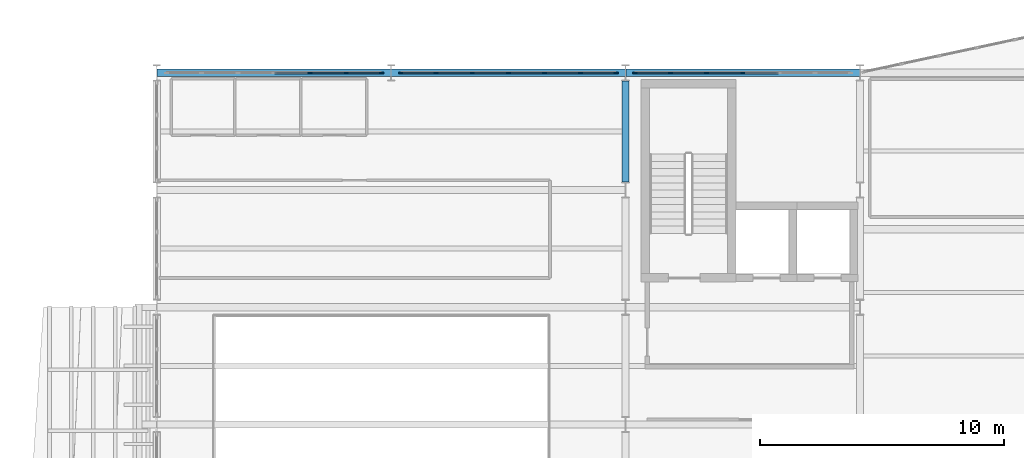
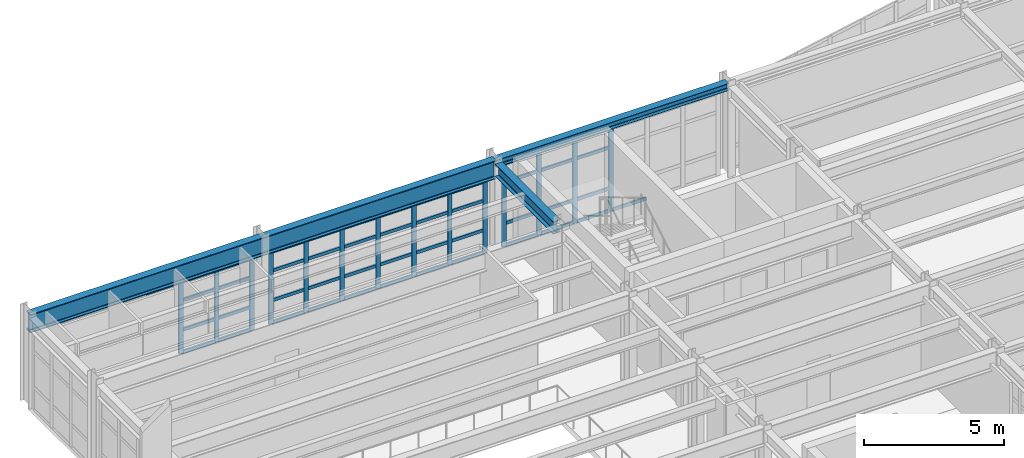
# One storey, part 45 of 99: 60 members, 3 beams, 3 elements without a shape of their own.
"""IFC4 building model written with IfcOpenShell, lengths in metres."""

from ifc_helpers import new_model, si_unit, direction, frame, origin, origin_2d, place, context, subcontext, project, spatial, rectangle, i_section, extrude, material, layer, layer_set, material_profile, profile_set, type_object, element, aggregate, save


model = new_model("IFC4")

# Units and contexts
model_context = context("Model", 3, precision=1e-05, world=origin(), true_north=direction((0.0, 1.0)))
body_context = subcontext(model_context, "Body", "Model", "MODEL_VIEW")
ifc_project = project(units=[si_unit("LENGTHUNIT", "METRE"), si_unit("AREAUNIT", "SQUARE_METRE"), si_unit("VOLUMEUNIT", "CUBIC_METRE"), si_unit("PLANEANGLEUNIT", "RADIAN"), si_unit("MASSUNIT", "GRAM", prefix="KILO")], contexts=[model_context])

# Site, building, storey
site_placement = place(None, origin())
site = spatial("IfcSite", under=ifc_project, at=site_placement, CompositionType="ELEMENT")
building_placement = place(site_placement, origin())
building = spatial("IfcBuilding", under=site, at=building_placement, Name="Nordkorset Police Headquarters", CompositionType="ELEMENT")
storey_placement = place(building_placement, frame((0.0, 0.0, 5.25)))
storey = spatial("IfcBuildingStorey", under=building, at=storey_placement, Name="L01", CompositionType="ELEMENT", Elevation=5.25)

# Curtain wall, members
ifc_material_1 = material(Name="Aluminium alloy AW-6060", Category="aluminium")
ifc_layer_1 = layer(ifc_material_1, 0.179931640625, Name="Aluminium alloy AW-6060")
ifc_layer_set_1 = layer_set([ifc_layer_1], Name="Aluminium alloy AW-6060")
curtain_wall_type_1 = type_object("IfcCurtainWallType", Name="CW_Unit_888x314", PredefinedType="USERDEFINED", material=ifc_layer_set_1)
curtain_wall_1_placement = place(storey_placement, origin())
curtain_wall_1 = element("IfcCurtainWall", 1, at=curtain_wall_1_placement, inside=storey, type_object=curtain_wall_type_1, Name="Unitised Curtain Wall L01 V1N-0", ObjectType="UNITISED CURTAIN WALL", PredefinedType="USERDEFINED")
ifc_material_2 = material(Name="Aluminium alloy AW-6060", Category="aluminium")
ifc_material_profile_1 = material_profile(ifc_material_2, rectangle(XDim=0.06494140625, YDim=0.179931640625, at=origin_2d()), Name="ALU MULL 65x180")
ifc_profile_set_1 = profile_set([ifc_material_profile_1], Name="Aluminium alloy AW-6060")
member_type_1 = type_object("IfcMemberType", Name="CW_Mullion_65x180", PredefinedType="MULLION", material=ifc_profile_set_1)
member_1_placement = place(storey_placement, frame((6.280029296875, 116.800048828125, 0.0), z_axis=(0.0, 0.0, 1.0), x_axis=(0.0, 1.0, 0.0)))
member_1 = element("IfcMember", 2, at=member_1_placement, type_object=member_type_1, Name="CW-59 mullion 5", PredefinedType="MULLION", context=body_context, shape_type="SweptSolid", body=[
    extrude(rectangle(XDim=0.06494140625, YDim=0.179931640625, at=origin_2d()), origin(), (0.0, 0.0, 1.0), 3.139892578125),
])
member_2_placement = place(storey_placement, frame((7.760009765625, 116.800048828125, 0.0), z_axis=(0.0, 0.0, 1.0), x_axis=(0.0, 1.0, 0.0)))
member_2 = element("IfcMember", 3, at=member_2_placement, type_object=member_type_1, Name="CW-59 mullion 6", PredefinedType="MULLION", context=body_context, shape_type="SweptSolid", body=[
    extrude(rectangle(XDim=0.06494140625, YDim=0.179931640625, at=origin_2d()), origin(), (0.0, 0.0, 1.0), 3.139892578125),
])
member_3_placement = place(storey_placement, frame((9.20751953125, 116.800048828125, 0.0), z_axis=(0.0, 0.0, 1.0), x_axis=(0.0, 1.0, 0.0)))
member_3 = element("IfcMember", 4, at=member_3_placement, type_object=member_type_1, Name="CW-59 mullion 7", PredefinedType="MULLION", context=body_context, shape_type="SweptSolid", body=[
    extrude(rectangle(XDim=0.06494140625, YDim=0.179931640625, at=origin_2d()), origin(), (0.0, 0.0, 1.0), 3.139892578125),
])

curtain_wall_2_placement = place(storey_placement, origin())
curtain_wall_2 = element("IfcCurtainWall", 5, at=curtain_wall_2_placement, inside=storey, type_object=curtain_wall_type_1, Name="Unitised Curtain Wall L01 V1N-1", ObjectType="UNITISED CURTAIN WALL", PredefinedType="USERDEFINED")
member_4_placement = place(storey_placement, frame((9.992431640625, 116.800048828125, 0.0), z_axis=(0.0, 0.0, 1.0), x_axis=(0.0, 1.0, 0.0)))
member_4 = element("IfcMember", 6, at=member_4_placement, type_object=member_type_1, Name="CW-59 mullion 1", PredefinedType="MULLION", context=body_context, shape_type="SweptSolid", body=[
    extrude(rectangle(XDim=0.06494140625, YDim=0.179931640625, at=origin_2d()), origin(), (0.0, 0.0, 1.0), 3.139892578125),
])
member_5_placement = place(storey_placement, frame((11.43994140625, 116.800048828125, 0.0), z_axis=(0.0, 0.0, 1.0), x_axis=(0.0, 1.0, 0.0)))
member_5 = element("IfcMember", 7, at=member_5_placement, type_object=member_type_1, Name="CW-59 mullion 2", PredefinedType="MULLION", context=body_context, shape_type="SweptSolid", body=[
    extrude(rectangle(XDim=0.06494140625, YDim=0.179931640625, at=origin_2d()), origin(), (0.0, 0.0, 1.0), 3.139892578125),
])
member_6_placement = place(storey_placement, frame((12.919921875, 116.800048828125, 0.0), z_axis=(0.0, 0.0, 1.0), x_axis=(0.0, 1.0, 0.0)))
member_6 = element("IfcMember", 8, at=member_6_placement, type_object=member_type_1, Name="CW-59 mullion 3", PredefinedType="MULLION", context=body_context, shape_type="SweptSolid", body=[
    extrude(rectangle(XDim=0.06494140625, YDim=0.179931640625, at=origin_2d()), origin(), (0.0, 0.0, 1.0), 3.139892578125),
])
member_7_placement = place(storey_placement, frame((14.39990234375, 116.800048828125, 0.0), z_axis=(0.0, 0.0, 1.0), x_axis=(0.0, 1.0, 0.0)))
member_7 = element("IfcMember", 9, at=member_7_placement, type_object=member_type_1, Name="CW-59 mullion 4", PredefinedType="MULLION", context=body_context, shape_type="SweptSolid", body=[
    extrude(rectangle(XDim=0.06494140625, YDim=0.179931640625, at=origin_2d()), origin(), (0.0, 0.0, 1.0), 3.139892578125),
])
member_8_placement = place(storey_placement, frame((15.8798828125, 116.800048828125, 0.0), z_axis=(0.0, 0.0, 1.0), x_axis=(0.0, 1.0, 0.0)))
member_8 = element("IfcMember", 10, at=member_8_placement, type_object=member_type_1, Name="CW-59 mullion 5", PredefinedType="MULLION", context=body_context, shape_type="SweptSolid", body=[
    extrude(rectangle(XDim=0.06494140625, YDim=0.179931640625, at=origin_2d()), origin(), (0.0, 0.0, 1.0), 3.139892578125),
])
member_9_placement = place(storey_placement, frame((17.360107421875, 116.800048828125, 0.0), z_axis=(0.0, 0.0, 1.0), x_axis=(0.0, 1.0, 0.0)))
member_9 = element("IfcMember", 11, at=member_9_placement, type_object=member_type_1, Name="CW-59 mullion 6", PredefinedType="MULLION", context=body_context, shape_type="SweptSolid", body=[
    extrude(rectangle(XDim=0.06494140625, YDim=0.179931640625, at=origin_2d()), origin(), (0.0, 0.0, 1.0), 3.139892578125),
])
member_10_placement = place(storey_placement, frame((18.8076171875, 116.800048828125, 0.0), z_axis=(0.0, 0.0, 1.0), x_axis=(0.0, 1.0, 0.0)))
member_10 = element("IfcMember", 12, at=member_10_placement, type_object=member_type_1, Name="CW-59 mullion 7", PredefinedType="MULLION", context=body_context, shape_type="SweptSolid", body=[
    extrude(rectangle(XDim=0.06494140625, YDim=0.179931640625, at=origin_2d()), origin(), (0.0, 0.0, 1.0), 3.139892578125),
])

ifc_material_3 = material(Name="Aluminium alloy AW-6060", Category="aluminium")
ifc_layer_2 = layer(ifc_material_3, 0.179931640625, Name="Aluminium alloy AW-6060")
ifc_layer_set_2 = layer_set([ifc_layer_2], Name="Aluminium alloy AW-6060")
curtain_wall_type_2 = type_object("IfcCurtainWallType", Name="CW_Unit_888x363", PredefinedType="USERDEFINED", material=ifc_layer_set_2)
curtain_wall_3_placement = place(storey_placement, origin())
curtain_wall_3 = element("IfcCurtainWall", 13, at=curtain_wall_3_placement, inside=storey, type_object=curtain_wall_type_2, Name="Unitised Curtain Wall L01 V1N-2", ObjectType="UNITISED CURTAIN WALL", PredefinedType="USERDEFINED")
member_11_placement = place(storey_placement, frame((19.592529296875, 116.800048828125, 0.0), z_axis=(0.0, 0.0, 1.0), x_axis=(0.0, 1.0, 0.0)))
member_11 = element("IfcMember", 14, at=member_11_placement, type_object=member_type_1, Name="CW-07 mullion 1", PredefinedType="MULLION", context=body_context, shape_type="SweptSolid", body=[
    extrude(rectangle(XDim=0.06494140625, YDim=0.179931640625, at=origin_2d()), origin(), (0.0, 0.0, 1.0), 3.6298828125),
])
member_12_placement = place(storey_placement, frame((21.0400390625, 116.800048828125, 0.0), z_axis=(0.0, 0.0, 1.0), x_axis=(0.0, 1.0, 0.0)))
member_12 = element("IfcMember", 15, at=member_12_placement, type_object=member_type_1, Name="CW-07 mullion 2", PredefinedType="MULLION", context=body_context, shape_type="SweptSolid", body=[
    extrude(rectangle(XDim=0.06494140625, YDim=0.179931640625, at=origin_2d()), origin(), (0.0, 0.0, 1.0), 3.6298828125),
])
member_13_placement = place(storey_placement, frame((22.52001953125, 116.800048828125, 0.0), z_axis=(0.0, 0.0, 1.0), x_axis=(0.0, 1.0, 0.0)))
member_13 = element("IfcMember", 16, at=member_13_placement, type_object=member_type_1, Name="CW-07 mullion 3", PredefinedType="MULLION", context=body_context, shape_type="SweptSolid", body=[
    extrude(rectangle(XDim=0.06494140625, YDim=0.179931640625, at=origin_2d()), origin(), (0.0, 0.0, 1.0), 3.6298828125),
])
member_14_placement = place(storey_placement, frame((24.0, 116.800048828125, 0.0), z_axis=(0.0, 0.0, 1.0), x_axis=(0.0, 1.0, 0.0)))
member_14 = element("IfcMember", 17, at=member_14_placement, type_object=member_type_1, Name="CW-07 mullion 4", PredefinedType="MULLION", context=body_context, shape_type="SweptSolid", body=[
    extrude(rectangle(XDim=0.06494140625, YDim=0.179931640625, at=origin_2d()), origin(), (0.0, 0.0, 1.0), 3.6298828125),
])

# Member
ifc_material_4 = material(Name="Aluminium alloy AW-6060", Category="aluminium")
ifc_material_profile_2 = material_profile(ifc_material_4, rectangle(XDim=0.06494140625, YDim=0.139892578125, at=origin_2d()), Name="ALU TRAN 65x140")
ifc_profile_set_2 = profile_set([ifc_material_profile_2], Name="Aluminium alloy AW-6060")
member_type_2 = type_object("IfcMemberType", Name="CW_Transom_65x140", PredefinedType="USERDEFINED", material=ifc_profile_set_2)
member_15_placement = place(storey_placement, frame((4.83251953125, 116.800048828125, 3.107421875), z_axis=(1.0, 0.0, 0.0), x_axis=(0.0, 1.0, 0.0)))
member_15 = element("IfcMember", 18, at=member_15_placement, type_object=member_type_2, Name="CW-59 transom 4.4", ObjectType="TRANSOM", PredefinedType="USERDEFINED", context=body_context, shape_type="SweptSolid", body=[
    extrude(rectangle(XDim=0.06494140625, YDim=0.139892578125, at=origin_2d()), origin(), (0.0, 0.0, 1.0), 1.4150390625),
])

member_16_placement = place(storey_placement, frame((6.3125, 116.800048828125, 0.032470703125), z_axis=(1.0, 0.0, 0.0), x_axis=(0.0, 1.0, 0.0)))
member_16 = element("IfcMember", 19, at=member_16_placement, type_object=member_type_2, Name="CW-59 transom 5.1", ObjectType="TRANSOM", PredefinedType="USERDEFINED", context=body_context, shape_type="SweptSolid", body=[
    extrude(rectangle(XDim=0.06494140625, YDim=0.139892578125, at=origin_2d()), origin(), (0.0, 0.0, 1.0), 1.4150390625),
])

member_17_placement = place(storey_placement, frame((6.3125, 116.800048828125, 1.0), z_axis=(1.0, 0.0, 0.0), x_axis=(0.0, 1.0, 0.0)))
member_17 = element("IfcMember", 20, at=member_17_placement, type_object=member_type_2, Name="CW-59 transom 5.2", ObjectType="TRANSOM", PredefinedType="USERDEFINED", context=body_context, shape_type="SweptSolid", body=[
    extrude(rectangle(XDim=0.06494140625, YDim=0.139892578125, at=origin_2d()), origin(), (0.0, 0.0, 1.0), 1.4150390625),
])

member_18_placement = place(storey_placement, frame((6.3125, 116.800048828125, 2.2900390625), z_axis=(1.0, 0.0, 0.0), x_axis=(0.0, 1.0, 0.0)))
member_18 = element("IfcMember", 21, at=member_18_placement, type_object=member_type_2, Name="CW-59 transom 5.3", ObjectType="TRANSOM", PredefinedType="USERDEFINED", context=body_context, shape_type="SweptSolid", body=[
    extrude(rectangle(XDim=0.06494140625, YDim=0.139892578125, at=origin_2d()), origin(), (0.0, 0.0, 1.0), 1.4150390625),
])

member_19_placement = place(storey_placement, frame((6.3125, 116.800048828125, 3.107421875), z_axis=(1.0, 0.0, 0.0), x_axis=(0.0, 1.0, 0.0)))
member_19 = element("IfcMember", 22, at=member_19_placement, type_object=member_type_2, Name="CW-59 transom 5.4", ObjectType="TRANSOM", PredefinedType="USERDEFINED", context=body_context, shape_type="SweptSolid", body=[
    extrude(rectangle(XDim=0.06494140625, YDim=0.139892578125, at=origin_2d()), origin(), (0.0, 0.0, 1.0), 1.4150390625),
])

member_20_placement = place(storey_placement, frame((7.79248046875, 116.800048828125, 0.032470703125), z_axis=(1.0, 0.0, 0.0), x_axis=(0.0, 1.0, 0.0)))
member_20 = element("IfcMember", 23, at=member_20_placement, type_object=member_type_2, Name="CW-59 transom 6.1", ObjectType="TRANSOM", PredefinedType="USERDEFINED", context=body_context, shape_type="SweptSolid", body=[
    extrude(rectangle(XDim=0.06494140625, YDim=0.139892578125, at=origin_2d()), origin(), (0.0, 0.0, 1.0), 1.382568359375),
])

member_21_placement = place(storey_placement, frame((7.79248046875, 116.800048828125, 1.0), z_axis=(1.0, 0.0, 0.0), x_axis=(0.0, 1.0, 0.0)))
member_21 = element("IfcMember", 24, at=member_21_placement, type_object=member_type_2, Name="CW-59 transom 6.2", ObjectType="TRANSOM", PredefinedType="USERDEFINED", context=body_context, shape_type="SweptSolid", body=[
    extrude(rectangle(XDim=0.06494140625, YDim=0.139892578125, at=origin_2d()), origin(), (0.0, 0.0, 1.0), 1.382568359375),
])

member_22_placement = place(storey_placement, frame((7.79248046875, 116.800048828125, 2.2900390625), z_axis=(1.0, 0.0, 0.0), x_axis=(0.0, 1.0, 0.0)))
member_22 = element("IfcMember", 25, at=member_22_placement, type_object=member_type_2, Name="CW-59 transom 6.3", ObjectType="TRANSOM", PredefinedType="USERDEFINED", context=body_context, shape_type="SweptSolid", body=[
    extrude(rectangle(XDim=0.06494140625, YDim=0.139892578125, at=origin_2d()), origin(), (0.0, 0.0, 1.0), 1.382568359375),
])

member_23_placement = place(storey_placement, frame((7.79248046875, 116.800048828125, 3.107421875), z_axis=(1.0, 0.0, 0.0), x_axis=(0.0, 1.0, 0.0)))
member_23 = element("IfcMember", 26, at=member_23_placement, type_object=member_type_2, Name="CW-59 transom 6.4", ObjectType="TRANSOM", PredefinedType="USERDEFINED", context=body_context, shape_type="SweptSolid", body=[
    extrude(rectangle(XDim=0.06494140625, YDim=0.139892578125, at=origin_2d()), origin(), (0.0, 0.0, 1.0), 1.382568359375),
])

aggregate(curtain_wall_1, [member_1, member_2, member_3, member_15, member_16, member_17, member_18, member_19, member_20, member_21, member_22, member_23])

member_24_placement = place(storey_placement, frame((10.02490234375, 116.800048828125, 0.032470703125), z_axis=(1.0, 0.0, 0.0), x_axis=(0.0, 1.0, 0.0)))
member_24 = element("IfcMember", 27, at=member_24_placement, type_object=member_type_2, Name="CW-59 transom 1.1", ObjectType="TRANSOM", PredefinedType="USERDEFINED", context=body_context, shape_type="SweptSolid", body=[
    extrude(rectangle(XDim=0.06494140625, YDim=0.139892578125, at=origin_2d()), origin(), (0.0, 0.0, 1.0), 1.382568359375),
])

member_25_placement = place(storey_placement, frame((10.02490234375, 116.800048828125, 1.0), z_axis=(1.0, 0.0, 0.0), x_axis=(0.0, 1.0, 0.0)))
member_25 = element("IfcMember", 28, at=member_25_placement, type_object=member_type_2, Name="CW-59 transom 1.2", ObjectType="TRANSOM", PredefinedType="USERDEFINED", context=body_context, shape_type="SweptSolid", body=[
    extrude(rectangle(XDim=0.06494140625, YDim=0.139892578125, at=origin_2d()), origin(), (0.0, 0.0, 1.0), 1.382568359375),
])

member_26_placement = place(storey_placement, frame((10.02490234375, 116.800048828125, 2.2900390625), z_axis=(1.0, 0.0, 0.0), x_axis=(0.0, 1.0, 0.0)))
member_26 = element("IfcMember", 29, at=member_26_placement, type_object=member_type_2, Name="CW-59 transom 1.3", ObjectType="TRANSOM", PredefinedType="USERDEFINED", context=body_context, shape_type="SweptSolid", body=[
    extrude(rectangle(XDim=0.06494140625, YDim=0.139892578125, at=origin_2d()), origin(), (0.0, 0.0, 1.0), 1.382568359375),
])

member_27_placement = place(storey_placement, frame((10.02490234375, 116.800048828125, 3.107421875), z_axis=(1.0, 0.0, 0.0), x_axis=(0.0, 1.0, 0.0)))
member_27 = element("IfcMember", 30, at=member_27_placement, type_object=member_type_2, Name="CW-59 transom 1.4", ObjectType="TRANSOM", PredefinedType="USERDEFINED", context=body_context, shape_type="SweptSolid", body=[
    extrude(rectangle(XDim=0.06494140625, YDim=0.139892578125, at=origin_2d()), origin(), (0.0, 0.0, 1.0), 1.382568359375),
])

member_28_placement = place(storey_placement, frame((11.472412109375, 116.800048828125, 0.032470703125), z_axis=(1.0, 0.0, 0.0), x_axis=(0.0, 1.0, 0.0)))
member_28 = element("IfcMember", 31, at=member_28_placement, type_object=member_type_2, Name="CW-59 transom 2.1", ObjectType="TRANSOM", PredefinedType="USERDEFINED", context=body_context, shape_type="SweptSolid", body=[
    extrude(rectangle(XDim=0.06494140625, YDim=0.139892578125, at=origin_2d()), origin(), (0.0, 0.0, 1.0), 1.4150390625),
])

member_29_placement = place(storey_placement, frame((11.472412109375, 116.800048828125, 1.0), z_axis=(1.0, 0.0, 0.0), x_axis=(0.0, 1.0, 0.0)))
member_29 = element("IfcMember", 32, at=member_29_placement, type_object=member_type_2, Name="CW-59 transom 2.2", ObjectType="TRANSOM", PredefinedType="USERDEFINED", context=body_context, shape_type="SweptSolid", body=[
    extrude(rectangle(XDim=0.06494140625, YDim=0.139892578125, at=origin_2d()), origin(), (0.0, 0.0, 1.0), 1.4150390625),
])

member_30_placement = place(storey_placement, frame((11.472412109375, 116.800048828125, 2.2900390625), z_axis=(1.0, 0.0, 0.0), x_axis=(0.0, 1.0, 0.0)))
member_30 = element("IfcMember", 33, at=member_30_placement, type_object=member_type_2, Name="CW-59 transom 2.3", ObjectType="TRANSOM", PredefinedType="USERDEFINED", context=body_context, shape_type="SweptSolid", body=[
    extrude(rectangle(XDim=0.06494140625, YDim=0.139892578125, at=origin_2d()), origin(), (0.0, 0.0, 1.0), 1.4150390625),
])

member_31_placement = place(storey_placement, frame((11.472412109375, 116.800048828125, 3.107421875), z_axis=(1.0, 0.0, 0.0), x_axis=(0.0, 1.0, 0.0)))
member_31 = element("IfcMember", 34, at=member_31_placement, type_object=member_type_2, Name="CW-59 transom 2.4", ObjectType="TRANSOM", PredefinedType="USERDEFINED", context=body_context, shape_type="SweptSolid", body=[
    extrude(rectangle(XDim=0.06494140625, YDim=0.139892578125, at=origin_2d()), origin(), (0.0, 0.0, 1.0), 1.4150390625),
])

member_32_placement = place(storey_placement, frame((12.952392578125, 116.800048828125, 0.032470703125), z_axis=(1.0, 0.0, 0.0), x_axis=(0.0, 1.0, 0.0)))
member_32 = element("IfcMember", 35, at=member_32_placement, type_object=member_type_2, Name="CW-59 transom 3.1", ObjectType="TRANSOM", PredefinedType="USERDEFINED", context=body_context, shape_type="SweptSolid", body=[
    extrude(rectangle(XDim=0.06494140625, YDim=0.139892578125, at=origin_2d()), origin(), (0.0, 0.0, 1.0), 1.4150390625),
])

member_33_placement = place(storey_placement, frame((12.952392578125, 116.800048828125, 1.0), z_axis=(1.0, 0.0, 0.0), x_axis=(0.0, 1.0, 0.0)))
member_33 = element("IfcMember", 36, at=member_33_placement, type_object=member_type_2, Name="CW-59 transom 3.2", ObjectType="TRANSOM", PredefinedType="USERDEFINED", context=body_context, shape_type="SweptSolid", body=[
    extrude(rectangle(XDim=0.06494140625, YDim=0.139892578125, at=origin_2d()), origin(), (0.0, 0.0, 1.0), 1.4150390625),
])

member_34_placement = place(storey_placement, frame((12.952392578125, 116.800048828125, 2.2900390625), z_axis=(1.0, 0.0, 0.0), x_axis=(0.0, 1.0, 0.0)))
member_34 = element("IfcMember", 37, at=member_34_placement, type_object=member_type_2, Name="CW-59 transom 3.3", ObjectType="TRANSOM", PredefinedType="USERDEFINED", context=body_context, shape_type="SweptSolid", body=[
    extrude(rectangle(XDim=0.06494140625, YDim=0.139892578125, at=origin_2d()), origin(), (0.0, 0.0, 1.0), 1.4150390625),
])

member_35_placement = place(storey_placement, frame((12.952392578125, 116.800048828125, 3.107421875), z_axis=(1.0, 0.0, 0.0), x_axis=(0.0, 1.0, 0.0)))
member_35 = element("IfcMember", 38, at=member_35_placement, type_object=member_type_2, Name="CW-59 transom 3.4", ObjectType="TRANSOM", PredefinedType="USERDEFINED", context=body_context, shape_type="SweptSolid", body=[
    extrude(rectangle(XDim=0.06494140625, YDim=0.139892578125, at=origin_2d()), origin(), (0.0, 0.0, 1.0), 1.4150390625),
])

member_36_placement = place(storey_placement, frame((14.4326171875, 116.800048828125, 0.032470703125), z_axis=(1.0, 0.0, 0.0), x_axis=(0.0, 1.0, 0.0)))
member_36 = element("IfcMember", 39, at=member_36_placement, type_object=member_type_2, Name="CW-59 transom 4.1", ObjectType="TRANSOM", PredefinedType="USERDEFINED", context=body_context, shape_type="SweptSolid", body=[
    extrude(rectangle(XDim=0.06494140625, YDim=0.139892578125, at=origin_2d()), origin(), (0.0, 0.0, 1.0), 1.414794921875),
])

member_37_placement = place(storey_placement, frame((14.4326171875, 116.800048828125, 1.0), z_axis=(1.0, 0.0, 0.0), x_axis=(0.0, 1.0, 0.0)))
member_37 = element("IfcMember", 40, at=member_37_placement, type_object=member_type_2, Name="CW-59 transom 4.2", ObjectType="TRANSOM", PredefinedType="USERDEFINED", context=body_context, shape_type="SweptSolid", body=[
    extrude(rectangle(XDim=0.06494140625, YDim=0.139892578125, at=origin_2d()), origin(), (0.0, 0.0, 1.0), 1.414794921875),
])

member_38_placement = place(storey_placement, frame((14.4326171875, 116.800048828125, 2.2900390625), z_axis=(1.0, 0.0, 0.0), x_axis=(0.0, 1.0, 0.0)))
member_38 = element("IfcMember", 41, at=member_38_placement, type_object=member_type_2, Name="CW-59 transom 4.3", ObjectType="TRANSOM", PredefinedType="USERDEFINED", context=body_context, shape_type="SweptSolid", body=[
    extrude(rectangle(XDim=0.06494140625, YDim=0.139892578125, at=origin_2d()), origin(), (0.0, 0.0, 1.0), 1.414794921875),
])

member_39_placement = place(storey_placement, frame((14.4326171875, 116.800048828125, 3.107421875), z_axis=(1.0, 0.0, 0.0), x_axis=(0.0, 1.0, 0.0)))
member_39 = element("IfcMember", 42, at=member_39_placement, type_object=member_type_2, Name="CW-59 transom 4.4", ObjectType="TRANSOM", PredefinedType="USERDEFINED", context=body_context, shape_type="SweptSolid", body=[
    extrude(rectangle(XDim=0.06494140625, YDim=0.139892578125, at=origin_2d()), origin(), (0.0, 0.0, 1.0), 1.414794921875),
])

member_40_placement = place(storey_placement, frame((15.91259765625, 116.800048828125, 0.032470703125), z_axis=(1.0, 0.0, 0.0), x_axis=(0.0, 1.0, 0.0)))
member_40 = element("IfcMember", 43, at=member_40_placement, type_object=member_type_2, Name="CW-59 transom 5.1", ObjectType="TRANSOM", PredefinedType="USERDEFINED", context=body_context, shape_type="SweptSolid", body=[
    extrude(rectangle(XDim=0.06494140625, YDim=0.139892578125, at=origin_2d()), origin(), (0.0, 0.0, 1.0), 1.414794921875),
])

member_41_placement = place(storey_placement, frame((15.91259765625, 116.800048828125, 1.0), z_axis=(1.0, 0.0, 0.0), x_axis=(0.0, 1.0, 0.0)))
member_41 = element("IfcMember", 44, at=member_41_placement, type_object=member_type_2, Name="CW-59 transom 5.2", ObjectType="TRANSOM", PredefinedType="USERDEFINED", context=body_context, shape_type="SweptSolid", body=[
    extrude(rectangle(XDim=0.06494140625, YDim=0.139892578125, at=origin_2d()), origin(), (0.0, 0.0, 1.0), 1.414794921875),
])

member_42_placement = place(storey_placement, frame((15.91259765625, 116.800048828125, 2.2900390625), z_axis=(1.0, 0.0, 0.0), x_axis=(0.0, 1.0, 0.0)))
member_42 = element("IfcMember", 45, at=member_42_placement, type_object=member_type_2, Name="CW-59 transom 5.3", ObjectType="TRANSOM", PredefinedType="USERDEFINED", context=body_context, shape_type="SweptSolid", body=[
    extrude(rectangle(XDim=0.06494140625, YDim=0.139892578125, at=origin_2d()), origin(), (0.0, 0.0, 1.0), 1.414794921875),
])

member_43_placement = place(storey_placement, frame((15.91259765625, 116.800048828125, 3.107421875), z_axis=(1.0, 0.0, 0.0), x_axis=(0.0, 1.0, 0.0)))
member_43 = element("IfcMember", 46, at=member_43_placement, type_object=member_type_2, Name="CW-59 transom 5.4", ObjectType="TRANSOM", PredefinedType="USERDEFINED", context=body_context, shape_type="SweptSolid", body=[
    extrude(rectangle(XDim=0.06494140625, YDim=0.139892578125, at=origin_2d()), origin(), (0.0, 0.0, 1.0), 1.414794921875),
])

member_44_placement = place(storey_placement, frame((17.392578125, 116.800048828125, 0.032470703125), z_axis=(1.0, 0.0, 0.0), x_axis=(0.0, 1.0, 0.0)))
member_44 = element("IfcMember", 47, at=member_44_placement, type_object=member_type_2, Name="CW-59 transom 6.1", ObjectType="TRANSOM", PredefinedType="USERDEFINED", context=body_context, shape_type="SweptSolid", body=[
    extrude(rectangle(XDim=0.06494140625, YDim=0.139892578125, at=origin_2d()), origin(), (0.0, 0.0, 1.0), 1.38232421875),
])

member_45_placement = place(storey_placement, frame((17.392578125, 116.800048828125, 1.0), z_axis=(1.0, 0.0, 0.0), x_axis=(0.0, 1.0, 0.0)))
member_45 = element("IfcMember", 48, at=member_45_placement, type_object=member_type_2, Name="CW-59 transom 6.2", ObjectType="TRANSOM", PredefinedType="USERDEFINED", context=body_context, shape_type="SweptSolid", body=[
    extrude(rectangle(XDim=0.06494140625, YDim=0.139892578125, at=origin_2d()), origin(), (0.0, 0.0, 1.0), 1.38232421875),
])

member_46_placement = place(storey_placement, frame((17.392578125, 116.800048828125, 2.2900390625), z_axis=(1.0, 0.0, 0.0), x_axis=(0.0, 1.0, 0.0)))
member_46 = element("IfcMember", 49, at=member_46_placement, type_object=member_type_2, Name="CW-59 transom 6.3", ObjectType="TRANSOM", PredefinedType="USERDEFINED", context=body_context, shape_type="SweptSolid", body=[
    extrude(rectangle(XDim=0.06494140625, YDim=0.139892578125, at=origin_2d()), origin(), (0.0, 0.0, 1.0), 1.38232421875),
])

member_47_placement = place(storey_placement, frame((17.392578125, 116.800048828125, 3.107421875), z_axis=(1.0, 0.0, 0.0), x_axis=(0.0, 1.0, 0.0)))
member_47 = element("IfcMember", 50, at=member_47_placement, type_object=member_type_2, Name="CW-59 transom 6.4", ObjectType="TRANSOM", PredefinedType="USERDEFINED", context=body_context, shape_type="SweptSolid", body=[
    extrude(rectangle(XDim=0.06494140625, YDim=0.139892578125, at=origin_2d()), origin(), (0.0, 0.0, 1.0), 1.38232421875),
])

aggregate(curtain_wall_2, [member_4, member_5, member_6, member_7, member_8, member_9, member_10, member_24, member_25, member_26, member_27, member_28, member_29, member_30, member_31, member_32, member_33, member_34, member_35, member_36, member_37, member_38, member_39, member_40, member_41, member_42, member_43, member_44, member_45, member_46, member_47])

member_48_placement = place(storey_placement, frame((19.625, 116.800048828125, 0.032470703125), z_axis=(1.0, 0.0, 0.0), x_axis=(0.0, 1.0, 0.0)))
member_48 = element("IfcMember", 51, at=member_48_placement, type_object=member_type_2, Name="CW-07 transom 1.1", ObjectType="TRANSOM", PredefinedType="USERDEFINED", context=body_context, shape_type="SweptSolid", body=[
    extrude(rectangle(XDim=0.06494140625, YDim=0.139892578125, at=origin_2d()), origin(), (0.0, 0.0, 1.0), 1.382568359375),
])

member_49_placement = place(storey_placement, frame((19.625, 116.800048828125, 1.0), z_axis=(1.0, 0.0, 0.0), x_axis=(0.0, 1.0, 0.0)))
member_49 = element("IfcMember", 52, at=member_49_placement, type_object=member_type_2, Name="CW-07 transom 1.2", ObjectType="TRANSOM", PredefinedType="USERDEFINED", context=body_context, shape_type="SweptSolid", body=[
    extrude(rectangle(XDim=0.06494140625, YDim=0.139892578125, at=origin_2d()), origin(), (0.0, 0.0, 1.0), 1.382568359375),
])

member_50_placement = place(storey_placement, frame((19.625, 116.800048828125, 2.780029296875), z_axis=(1.0, 0.0, 0.0), x_axis=(0.0, 1.0, 0.0)))
member_50 = element("IfcMember", 53, at=member_50_placement, type_object=member_type_2, Name="CW-07 transom 1.3", ObjectType="TRANSOM", PredefinedType="USERDEFINED", context=body_context, shape_type="SweptSolid", body=[
    extrude(rectangle(XDim=0.06494140625, YDim=0.139892578125, at=origin_2d()), origin(), (0.0, 0.0, 1.0), 1.382568359375),
])

member_51_placement = place(storey_placement, frame((19.625, 116.800048828125, 3.597412109375), z_axis=(1.0, 0.0, 0.0), x_axis=(0.0, 1.0, 0.0)))
member_51 = element("IfcMember", 54, at=member_51_placement, type_object=member_type_2, Name="CW-07 transom 1.4", ObjectType="TRANSOM", PredefinedType="USERDEFINED", context=body_context, shape_type="SweptSolid", body=[
    extrude(rectangle(XDim=0.06494140625, YDim=0.139892578125, at=origin_2d()), origin(), (0.0, 0.0, 1.0), 1.382568359375),
])

member_52_placement = place(storey_placement, frame((21.072509765625, 116.800048828125, 0.032470703125), z_axis=(1.0, 0.0, 0.0), x_axis=(0.0, 1.0, 0.0)))
member_52 = element("IfcMember", 55, at=member_52_placement, type_object=member_type_2, Name="CW-07 transom 2.1", ObjectType="TRANSOM", PredefinedType="USERDEFINED", context=body_context, shape_type="SweptSolid", body=[
    extrude(rectangle(XDim=0.06494140625, YDim=0.139892578125, at=origin_2d()), origin(), (0.0, 0.0, 1.0), 1.4150390625),
])

member_53_placement = place(storey_placement, frame((21.072509765625, 116.800048828125, 1.0), z_axis=(1.0, 0.0, 0.0), x_axis=(0.0, 1.0, 0.0)))
member_53 = element("IfcMember", 56, at=member_53_placement, type_object=member_type_2, Name="CW-07 transom 2.2", ObjectType="TRANSOM", PredefinedType="USERDEFINED", context=body_context, shape_type="SweptSolid", body=[
    extrude(rectangle(XDim=0.06494140625, YDim=0.139892578125, at=origin_2d()), origin(), (0.0, 0.0, 1.0), 1.4150390625),
])

member_54_placement = place(storey_placement, frame((21.072509765625, 116.800048828125, 2.780029296875), z_axis=(1.0, 0.0, 0.0), x_axis=(0.0, 1.0, 0.0)))
member_54 = element("IfcMember", 57, at=member_54_placement, type_object=member_type_2, Name="CW-07 transom 2.3", ObjectType="TRANSOM", PredefinedType="USERDEFINED", context=body_context, shape_type="SweptSolid", body=[
    extrude(rectangle(XDim=0.06494140625, YDim=0.139892578125, at=origin_2d()), origin(), (0.0, 0.0, 1.0), 1.4150390625),
])

member_55_placement = place(storey_placement, frame((21.072509765625, 116.800048828125, 3.597412109375), z_axis=(1.0, 0.0, 0.0), x_axis=(0.0, 1.0, 0.0)))
member_55 = element("IfcMember", 58, at=member_55_placement, type_object=member_type_2, Name="CW-07 transom 2.4", ObjectType="TRANSOM", PredefinedType="USERDEFINED", context=body_context, shape_type="SweptSolid", body=[
    extrude(rectangle(XDim=0.06494140625, YDim=0.139892578125, at=origin_2d()), origin(), (0.0, 0.0, 1.0), 1.4150390625),
])

member_56_placement = place(storey_placement, frame((22.552490234375, 116.800048828125, 0.032470703125), z_axis=(1.0, 0.0, 0.0), x_axis=(0.0, 1.0, 0.0)))
member_56 = element("IfcMember", 59, at=member_56_placement, type_object=member_type_2, Name="CW-07 transom 3.1", ObjectType="TRANSOM", PredefinedType="USERDEFINED", context=body_context, shape_type="SweptSolid", body=[
    extrude(rectangle(XDim=0.06494140625, YDim=0.139892578125, at=origin_2d()), origin(), (0.0, 0.0, 1.0), 1.4150390625),
])

member_57_placement = place(storey_placement, frame((22.552490234375, 116.800048828125, 1.0), z_axis=(1.0, 0.0, 0.0), x_axis=(0.0, 1.0, 0.0)))
member_57 = element("IfcMember", 60, at=member_57_placement, type_object=member_type_2, Name="CW-07 transom 3.2", ObjectType="TRANSOM", PredefinedType="USERDEFINED", context=body_context, shape_type="SweptSolid", body=[
    extrude(rectangle(XDim=0.06494140625, YDim=0.139892578125, at=origin_2d()), origin(), (0.0, 0.0, 1.0), 1.4150390625),
])

member_58_placement = place(storey_placement, frame((22.552490234375, 116.800048828125, 2.780029296875), z_axis=(1.0, 0.0, 0.0), x_axis=(0.0, 1.0, 0.0)))
member_58 = element("IfcMember", 61, at=member_58_placement, type_object=member_type_2, Name="CW-07 transom 3.3", ObjectType="TRANSOM", PredefinedType="USERDEFINED", context=body_context, shape_type="SweptSolid", body=[
    extrude(rectangle(XDim=0.06494140625, YDim=0.139892578125, at=origin_2d()), origin(), (0.0, 0.0, 1.0), 1.4150390625),
])

member_59_placement = place(storey_placement, frame((22.552490234375, 116.800048828125, 3.597412109375), z_axis=(1.0, 0.0, 0.0), x_axis=(0.0, 1.0, 0.0)))
member_59 = element("IfcMember", 62, at=member_59_placement, type_object=member_type_2, Name="CW-07 transom 3.4", ObjectType="TRANSOM", PredefinedType="USERDEFINED", context=body_context, shape_type="SweptSolid", body=[
    extrude(rectangle(XDim=0.06494140625, YDim=0.139892578125, at=origin_2d()), origin(), (0.0, 0.0, 1.0), 1.4150390625),
])

member_60_placement = place(storey_placement, frame((24.032470703125, 116.800048828125, 0.032470703125), z_axis=(1.0, 0.0, 0.0), x_axis=(0.0, 1.0, 0.0)))
member_60 = element("IfcMember", 63, at=member_60_placement, type_object=member_type_2, Name="CW-07 transom 4.1", ObjectType="TRANSOM", PredefinedType="USERDEFINED", context=body_context, shape_type="SweptSolid", body=[
    extrude(rectangle(XDim=0.06494140625, YDim=0.139892578125, at=origin_2d()), origin(), (0.0, 0.0, 1.0), 1.4150390625),
])

aggregate(curtain_wall_3, [member_11, member_12, member_13, member_14, member_48, member_49, member_50, member_51, member_52, member_53, member_54, member_55, member_56, member_57, member_58, member_59, member_60])

# Beams
ifc_material_5 = material(Name="Steel S355J2", Category="steel")
ifc_material_profile_3 = material_profile(ifc_material_5, i_section(OverallWidth=0.300048828125, OverallDepth=0.5400390625, WebThickness=0.012451171875, FlangeThickness=0.02392578125, FilletRadius=0.027099609375, at=origin_2d()), Name="HEA 550")
ifc_profile_set_3 = profile_set([ifc_material_profile_3], Name="Steel S355J2")
beam_type_1 = type_object("IfcBeamType", Name="Girder_HEA_550", PredefinedType="USERDEFINED", material=ifc_profile_set_3)
beam_1_placement = place(storey_placement, frame((19.199951171875, 112.324951171875, 3.68994140625), z_axis=(0.0, 1.0, 0.0), x_axis=(-1.0, 0.0, 0.0)))
element("IfcBeam", 64, at=beam_1_placement, inside=storey, type_object=beam_type_1, Name="Girder V1 L01 GY-1-6", ObjectType="GIRDER", PredefinedType="USERDEFINED", context=body_context, shape_type="SweptSolid", body=[
    extrude(i_section(OverallWidth=0.300048828125, OverallDepth=0.5400390625, WebThickness=0.012451171875, FlangeThickness=0.02392578125, FilletRadius=0.027099609375, at=origin_2d()), origin(), (0.0, 0.0, 1.0), 4.150146484375),
])
ifc_material_6 = material(Name="Steel S355J2", Category="steel")
ifc_material_profile_4 = material_profile(ifc_material_6, i_section(OverallWidth=0.300048828125, OverallDepth=0.800048828125, WebThickness=0.017578125, FlangeThickness=0.032958984375, FilletRadius=0.030029296875, at=origin_2d()), Name="HEB 800")
ifc_profile_set_4 = profile_set([ifc_material_profile_4], Name="Steel S355J2")
beam_type_2 = type_object("IfcBeamType", Name="Girder_HEB_800", PredefinedType="USERDEFINED", material=ifc_profile_set_4)
beam_2_placement = place(storey_placement, frame((0.008056640625, 116.800048828125, 3.56005859375), z_axis=(1.0, 0.0, 0.0), x_axis=(0.0, 1.0, 0.0)))
element("IfcBeam", 65, at=beam_2_placement, inside=storey, type_object=beam_type_2, Name="Girder V1 L01 GX-7-0", ObjectType="GIRDER", PredefinedType="USERDEFINED", context=body_context, shape_type="SweptSolid", body=[
    extrude(i_section(OverallWidth=0.300048828125, OverallDepth=0.800048828125, WebThickness=0.017578125, FlangeThickness=0.032958984375, FilletRadius=0.030029296875, at=origin_2d()), origin(), (0.0, 0.0, 1.0), 19.183837890625),
])
ifc_material_7 = material(Name="Steel S355J2", Category="steel")
ifc_material_profile_5 = material_profile(ifc_material_7, i_section(OverallWidth=0.300048828125, OverallDepth=0.31005859375, WebThickness=0.009033203125, FlangeThickness=0.015380859375, FilletRadius=0.027099609375, at=origin_2d()), Name="HEA 320")
ifc_profile_set_5 = profile_set([ifc_material_profile_5], Name="Steel S355J2")
beam_type_3 = type_object("IfcBeamType", Name="Spandrel_HEA_320", PredefinedType="SPANDREL", material=ifc_profile_set_5)
beam_3_placement = place(storey_placement, frame((19.2080078125, 116.800048828125, 3.804931640625), z_axis=(1.0, 0.0, 0.0), x_axis=(0.0, 1.0, 0.0)))
element("IfcBeam", 66, at=beam_3_placement, inside=storey, type_object=beam_type_3, Name="Girder V1 L01 GX-7-1", PredefinedType="SPANDREL", context=body_context, shape_type="SweptSolid", body=[
    extrude(i_section(OverallWidth=0.300048828125, OverallDepth=0.31005859375, WebThickness=0.009033203125, FlangeThickness=0.015380859375, FilletRadius=0.027099609375, at=origin_2d()), origin(), (0.0, 0.0, 1.0), 9.583984375),
])

save(model, "model.ifc")
